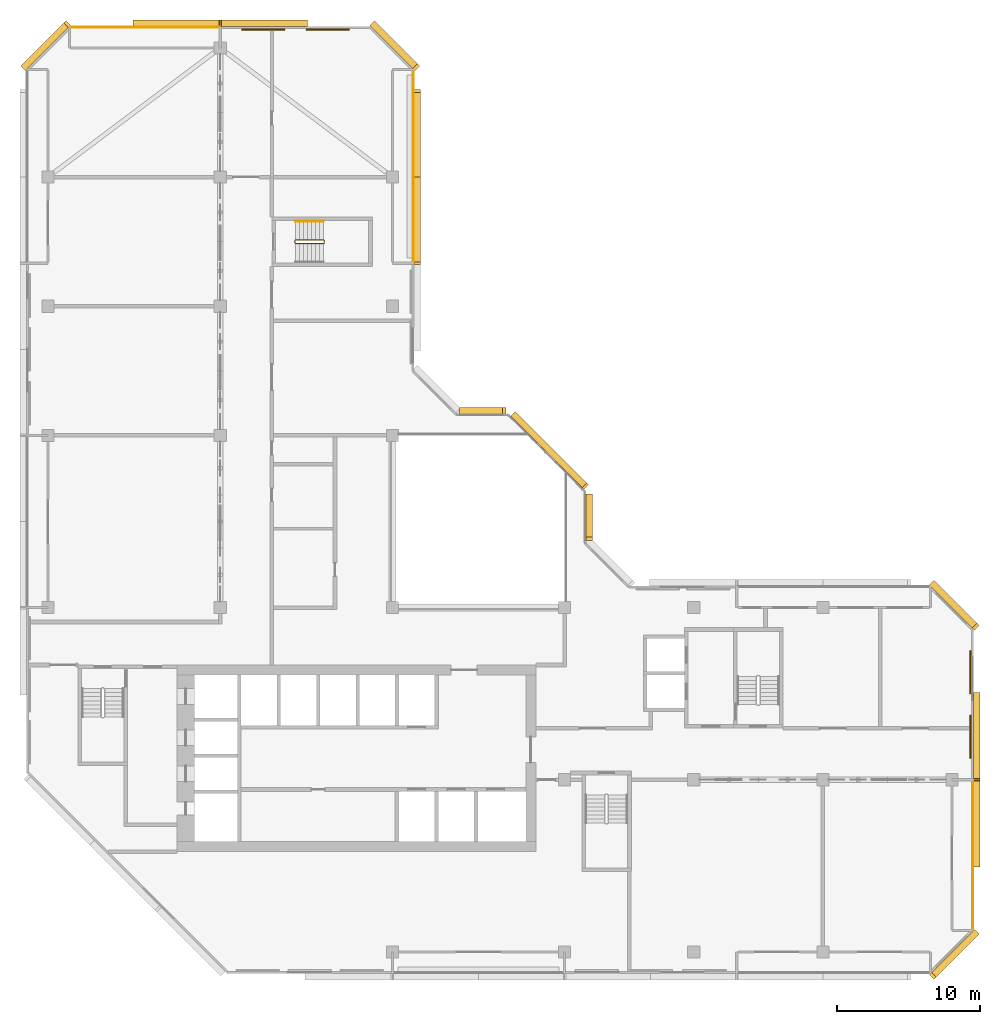
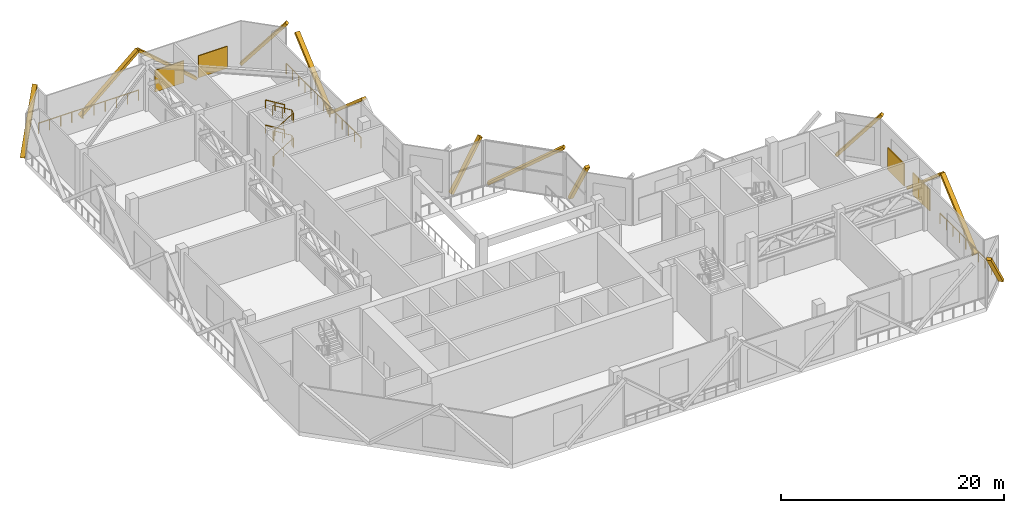
# One storey, part 14 of 14: 13 coverings, 6 railings, 4 shading devices.
"""IFC4 building model written with IfcOpenShell, lengths in metres."""

from ifc_helpers import new_model, si_unit, direction, frame, origin, origin_2d, place, context, subcontext, project, spatial, rectangle, extrude, material, material_profile, profile_set, type_object, element, save


model = new_model("IFC4")

# Units and contexts
model_context = context("Model", 3, precision=1e-05, world=origin(), true_north=direction((0.0, 1.0)))
body_context = subcontext(model_context, "Body", "Model", "MODEL_VIEW")
ifc_project = project(units=[si_unit("LENGTHUNIT", "METRE"), si_unit("AREAUNIT", "SQUARE_METRE"), si_unit("VOLUMEUNIT", "CUBIC_METRE"), si_unit("PLANEANGLEUNIT", "RADIAN"), si_unit("MASSUNIT", "GRAM", prefix="KILO")], contexts=[model_context])

# Site, building, storey
site_placement = place(None, origin())
site = spatial("IfcSite", under=ifc_project, at=site_placement, CompositionType="ELEMENT")
building_placement = place(site_placement, origin())
building = spatial("IfcBuilding", under=site, at=building_placement, Name="Chenar Terraces", CompositionType="ELEMENT")
storey_placement = place(building_placement, frame((0.0, 0.0, 256.64990234375)))
storey = spatial("IfcBuildingStorey", under=building, at=storey_placement, Name="L61", CompositionType="ELEMENT", Elevation=256.64990234375)

# Railings
ifc_material_1 = material(Name="Stainless steel and glass", Category="steel")
railing_type_1 = type_object("IfcRailingType", Name="Loggia guard 1150", PredefinedType="GUARDRAIL", material=ifc_material_1)
railing_1_placement = place(storey_placement, frame((25.449951171875, 48.074951171875, 0.0)))
element("IfcRailing", 1, at=railing_1_placement, inside=storey, type_object=railing_type_1, Name="Loggia guard", PredefinedType="GUARDRAIL", context=body_context, shape_type="SweptSolid", body=[
    extrude(rectangle(XDim=0.048095703125, YDim=0.048095703125, at=origin_2d()), frame((0.0, 0.0, 1.1259765625), z_axis=(0.0, 1.0, 0.0), x_axis=(-1.0, 0.0, 0.0)), (0.0, 0.0, 1.0), 13.35009765625),
    extrude(rectangle(XDim=0.0419921875, YDim=0.0419921875, at=origin_2d()), origin(), (0.0, 0.0, 1.0), 1.101806640625),
    extrude(rectangle(XDim=0.0419921875, YDim=0.0419921875, at=origin_2d()), frame((0.0, 1.112548828125, 0.0)), (0.0, 0.0, 1.0), 1.101806640625),
    extrude(rectangle(XDim=0.0419921875, YDim=0.0419921875, at=origin_2d()), frame((0.0, 2.22509765625, 0.0)), (0.0, 0.0, 1.0), 1.101806640625),
    extrude(rectangle(XDim=0.0419921875, YDim=0.0419921875, at=origin_2d()), frame((0.0, 3.33740234375, 0.0)), (0.0, 0.0, 1.0), 1.101806640625),
    extrude(rectangle(XDim=0.0419921875, YDim=0.0419921875, at=origin_2d()), frame((0.0, 4.449951171875, 0.0)), (0.0, 0.0, 1.0), 1.101806640625),
    extrude(rectangle(XDim=0.0419921875, YDim=0.0419921875, at=origin_2d()), frame((0.0, 5.5625, 0.0)), (0.0, 0.0, 1.0), 1.101806640625),
    extrude(rectangle(XDim=0.0419921875, YDim=0.0419921875, at=origin_2d()), frame((0.0, 6.675048828125, 0.0)), (0.0, 0.0, 1.0), 1.101806640625),
    extrude(rectangle(XDim=0.0419921875, YDim=0.0419921875, at=origin_2d()), frame((0.0, 7.78759765625, 0.0)), (0.0, 0.0, 1.0), 1.101806640625),
    extrude(rectangle(XDim=0.0419921875, YDim=0.0419921875, at=origin_2d()), frame((0.0, 8.900146484375, 0.0)), (0.0, 0.0, 1.0), 1.101806640625),
    extrude(rectangle(XDim=0.0419921875, YDim=0.0419921875, at=origin_2d()), frame((0.0, 10.0126953125, 0.0)), (0.0, 0.0, 1.0), 1.101806640625),
    extrude(rectangle(XDim=0.0419921875, YDim=0.0419921875, at=origin_2d()), frame((0.0, 11.125, 0.0)), (0.0, 0.0, 1.0), 1.101806640625),
    extrude(rectangle(XDim=0.0419921875, YDim=0.0419921875, at=origin_2d()), frame((0.0, 12.237548828125, 0.0)), (0.0, 0.0, 1.0), 1.101806640625),
    extrude(rectangle(XDim=0.0419921875, YDim=0.0419921875, at=origin_2d()), frame((0.0, 13.35009765625, 0.0)), (0.0, 0.0, 1.0), 1.101806640625),
])
railing_2_placement = place(storey_placement, frame((64.449951171875, 1.574951171875, 0.0)))
element("IfcRailing", 2, at=railing_2_placement, inside=storey, type_object=railing_type_1, Name="Loggia guard", PredefinedType="GUARDRAIL", context=body_context, shape_type="SweptSolid", body=[
    extrude(rectangle(XDim=0.048095703125, YDim=0.048095703125, at=origin_2d()), frame((0.0, 0.0, 1.1259765625), z_axis=(0.0, 1.0, 0.0), x_axis=(-1.0, 0.0, 0.0)), (0.0, 0.0, 1.0), 10.35009765625),
    extrude(rectangle(XDim=0.0419921875, YDim=0.0419921875, at=origin_2d()), origin(), (0.0, 0.0, 1.0), 1.101806640625),
    extrude(rectangle(XDim=0.0419921875, YDim=0.0419921875, at=origin_2d()), frame((0.0, 1.14990234375, 0.0)), (0.0, 0.0, 1.0), 1.101806640625),
    extrude(rectangle(XDim=0.0419921875, YDim=0.0419921875, at=origin_2d()), frame((0.0, 2.300048828125, 0.0)), (0.0, 0.0, 1.0), 1.101806640625),
    extrude(rectangle(XDim=0.0419921875, YDim=0.0419921875, at=origin_2d()), frame((0.0, 3.449951171875, 0.0)), (0.0, 0.0, 1.0), 1.101806640625),
    extrude(rectangle(XDim=0.0419921875, YDim=0.0419921875, at=origin_2d()), frame((0.0, 4.60009765625, 0.0)), (0.0, 0.0, 1.0), 1.101806640625),
    extrude(rectangle(XDim=0.0419921875, YDim=0.0419921875, at=origin_2d()), frame((0.0, 5.75, 0.0)), (0.0, 0.0, 1.0), 1.101806640625),
    extrude(rectangle(XDim=0.0419921875, YDim=0.0419921875, at=origin_2d()), frame((0.0, 6.900146484375, 0.0)), (0.0, 0.0, 1.0), 1.101806640625),
    extrude(rectangle(XDim=0.0419921875, YDim=0.0419921875, at=origin_2d()), frame((0.0, 8.050048828125, 0.0)), (0.0, 0.0, 1.0), 1.101806640625),
    extrude(rectangle(XDim=0.0419921875, YDim=0.0419921875, at=origin_2d()), frame((0.0, 9.2001953125, 0.0)), (0.0, 0.0, 1.0), 1.101806640625),
    extrude(rectangle(XDim=0.0419921875, YDim=0.0419921875, at=origin_2d()), frame((0.0, 10.35009765625, 0.0)), (0.0, 0.0, 1.0), 1.101806640625),
])
railing_3_placement = place(storey_placement, frame((11.925048828125, 64.449951171875, 0.0)))
element("IfcRailing", 3, at=railing_3_placement, inside=storey, type_object=railing_type_1, Name="Loggia guard", PredefinedType="GUARDRAIL", context=body_context, shape_type="SweptSolid", body=[
    extrude(rectangle(XDim=0.048095703125, YDim=0.048095703125, at=origin_2d()), frame((0.0, 0.0, 1.1259765625), z_axis=(-1.0, 0.0, 0.0), x_axis=(0.0, -1.0, 0.0)), (0.0, 0.0, 1.0), 10.35009765625),
    extrude(rectangle(XDim=0.0419921875, YDim=0.0419921875, at=origin_2d()), origin(), (0.0, 0.0, 1.0), 1.101806640625),
    extrude(rectangle(XDim=0.0419921875, YDim=0.0419921875, at=origin_2d()), frame((-1.14990234375, 0.0, 0.0)), (0.0, 0.0, 1.0), 1.101806640625),
    extrude(rectangle(XDim=0.0419921875, YDim=0.0419921875, at=origin_2d()), frame((-2.300048828125, 0.0, 0.0)), (0.0, 0.0, 1.0), 1.101806640625),
    extrude(rectangle(XDim=0.0419921875, YDim=0.0419921875, at=origin_2d()), frame((-3.449951171875, 0.0, 0.0)), (0.0, 0.0, 1.0), 1.101806640625),
    extrude(rectangle(XDim=0.0419921875, YDim=0.0419921875, at=origin_2d()), frame((-4.60009765625, 0.0, 0.0)), (0.0, 0.0, 1.0), 1.101806640625),
    extrude(rectangle(XDim=0.0419921875, YDim=0.0419921875, at=origin_2d()), frame((-5.75, 0.0, 0.0)), (0.0, 0.0, 1.0), 1.101806640625),
    extrude(rectangle(XDim=0.0419921875, YDim=0.0419921875, at=origin_2d()), frame((-6.900146484375, 0.0, 0.0)), (0.0, 0.0, 1.0), 1.101806640625),
    extrude(rectangle(XDim=0.0419921875, YDim=0.0419921875, at=origin_2d()), frame((-8.050048828125, 0.0, 0.0)), (0.0, 0.0, 1.0), 1.101806640625),
    extrude(rectangle(XDim=0.0419921875, YDim=0.0419921875, at=origin_2d()), frame((-9.2001953125, 0.0, 0.0)), (0.0, 0.0, 1.0), 1.101806640625),
    extrude(rectangle(XDim=0.0419921875, YDim=0.0419921875, at=origin_2d()), frame((-10.35009765625, 0.0, 0.0)), (0.0, 0.0, 1.0), 1.101806640625),
])

# Shading devices
ifc_material_2 = material(Name="Powder-coated steel", Category="steel")
shading_device_type = type_object("IfcShadingDeviceType", Name="Sand-proof louvre bank 3000 x 2400", PredefinedType="USERDEFINED", material=ifc_material_2)
for number, where, z_axis, x_axis, name in (
    (4, (64.300048828125, 15.0, 0.4501953125), (0.0, 0.0, 1.0), (0.0, 1.0, 0.0), "Sand-proof louvre bank"),
    (5, (64.300048828125, 19.5, 0.4501953125), (0.0, 0.0, 1.0), (0.0, 1.0, 0.0), "Sand-proof louvre bank"),
    (6, (19.5, 64.300048828125, 0.4501953125), (0.0, 0.0, 1.0), (-1.0, 0.0, 0.0), "Sand-proof louvre bank"),
    (7, (15.0, 64.300048828125, 0.4501953125), (0.0, 0.0, 1.0), (-1.0, 0.0, 0.0), "Sand-proof louvre bank"),
):
    element("IfcShadingDevice", number, at=place(storey_placement, frame(where, z_axis=z_axis, x_axis=x_axis)), inside=storey, type_object=shading_device_type, Name=name, ObjectType="LOUVRE", PredefinedType="USERDEFINED", context=body_context, shape_type="SweptSolid", body=[
        extrude(rectangle(XDim=3.0, YDim=0.10009765625, at=origin_2d()), origin(), (0.0, 0.0, 1.0), 2.39990234375),
    ])

# Railings
ifc_material_3 = material(Name="Powder-coated steel", Category="steel")
railing_type_2 = type_object("IfcRailingType", Name="Stair guard 1100", PredefinedType="GUARDRAIL", material=ifc_material_3)
railing_4_placement = place(storey_placement, frame((17.25, 49.625, 5.5)))
element("IfcRailing", 8, at=railing_4_placement, inside=storey, type_object=railing_type_2, Name="L61 ST4 stair guard 1", PredefinedType="GUARDRAIL", context=body_context, shape_type="SweptSolid", body=[
    extrude(rectangle(XDim=0.048095703125, YDim=0.048095703125, at=origin_2d()), frame((0.0, 0.0, 1.076171875), z_axis=(0.852240978134, 0.0, -0.523149419562), x_axis=(0.0, 1.0, 0.0)), (0.0, 0.0, 1.0), 2.2998046875),
    extrude(rectangle(XDim=0.048095703125, YDim=0.048095703125, at=origin_2d()), frame((1.9599609375, 0.0, -0.126953125), z_axis=(0.269255725606, -0.269255725606, -0.92466356501), x_axis=(0.707106781187, 0.707106781187, 0.0)), (0.0, 0.0, 1.0), 0.185791015625),
    extrude(rectangle(XDim=0.048095703125, YDim=0.048095703125, at=origin_2d()), frame((2.010009765625, -0.050048828125, -0.298828125), z_axis=(0.0, -1.0, 0.0), x_axis=(1.0, 0.0, 0.0)), (0.0, 0.0, 1.0), 0.14990234375),
    extrude(rectangle(XDim=0.048095703125, YDim=0.048095703125, at=origin_2d()), frame((2.010009765625, -0.199951171875, -0.298828125), z_axis=(-0.707106781187, -0.707106781187, 0.0), x_axis=(0.707106781187, -0.707106781187, 0.0)), (0.0, 0.0, 1.0), 0.07080078125),
    extrude(rectangle(XDim=0.048095703125, YDim=0.048095703125, at=origin_2d()), frame((1.9599609375, -0.25, -0.298828125), z_axis=(-0.852240978134, 0.0, -0.523149419562), x_axis=(0.0, -1.0, 0.0)), (0.0, 0.0, 1.0), 2.2998046875),
    extrude(rectangle(XDim=0.048095703125, YDim=0.048095703125, at=origin_2d()), frame((0.0, -0.25, -1.501953125), z_axis=(-0.186486819998, 0.745037588186, -0.640423030626), x_axis=(-0.970072785993, -0.242814311512, 0.0)), (0.0, 0.0, 1.0), 0.268310546875),
    extrude(rectangle(XDim=0.048095703125, YDim=0.048095703125, at=origin_2d()), frame((-0.050048828125, -0.050048828125, -1.673828125), z_axis=(0.0, -1.0, 0.0), x_axis=(1.0, 0.0, 0.0)), (0.0, 0.0, 1.0), 0.14990234375),
    extrude(rectangle(XDim=0.048095703125, YDim=0.048095703125, at=origin_2d()), frame((-0.050048828125, -0.199951171875, -1.673828125), z_axis=(0.242814311512, 0.970072785993, 0.0), x_axis=(-0.970072785993, 0.242814311512, 0.0)), (0.0, 0.0, 1.0), 0.2060546875),
    extrude(rectangle(XDim=0.048095703125, YDim=0.048095703125, at=origin_2d()), frame((0.0, 0.0, -1.673828125), z_axis=(0.852240978134, 0.0, -0.523149419562), x_axis=(0.0, 1.0, 0.0)), (0.0, 0.0, 1.0), 2.2998046875),
    extrude(rectangle(XDim=0.048095703125, YDim=0.048095703125, at=origin_2d()), frame((1.9599609375, 0.0, -2.876953125), z_axis=(0.269255725606, -0.269255725606, -0.92466356501), x_axis=(0.707106781187, 0.707106781187, 0.0)), (0.0, 0.0, 1.0), 0.185791015625),
    extrude(rectangle(XDim=0.048095703125, YDim=0.048095703125, at=origin_2d()), frame((2.010009765625, -0.050048828125, -3.048828125), z_axis=(0.0, -1.0, 0.0), x_axis=(1.0, 0.0, 0.0)), (0.0, 0.0, 1.0), 0.14990234375),
    extrude(rectangle(XDim=0.048095703125, YDim=0.048095703125, at=origin_2d()), frame((2.010009765625, -0.199951171875, -3.048828125), z_axis=(-0.707106781187, -0.707106781187, 0.0), x_axis=(0.707106781187, -0.707106781187, 0.0)), (0.0, 0.0, 1.0), 0.07080078125),
    extrude(rectangle(XDim=0.048095703125, YDim=0.048095703125, at=origin_2d()), frame((1.9599609375, -0.25, -3.048828125), z_axis=(-0.852240978134, 0.0, -0.523149419562), x_axis=(0.0, -1.0, 0.0)), (0.0, 0.0, 1.0), 2.2998046875),
    extrude(rectangle(XDim=0.048095703125, YDim=0.048095703125, at=origin_2d()), frame((0.0, -0.25, -4.251953125), z_axis=(-0.269255725606, 0.269255725606, -0.92466356501), x_axis=(-0.707106781187, -0.707106781187, 0.0)), (0.0, 0.0, 1.0), 0.185791015625),
    extrude(rectangle(XDim=0.048095703125, YDim=0.048095703125, at=origin_2d()), frame((-0.050048828125, -0.199951171875, -4.423828125), z_axis=(0.0, 1.0, 0.0), x_axis=(-1.0, 0.0, 0.0)), (0.0, 0.0, 1.0), 0.14990234375),
    extrude(rectangle(XDim=0.0419921875, YDim=0.0419921875, at=origin_2d()), origin(), (0.0, 0.0, 1.0), 1.052001953125),
    extrude(rectangle(XDim=0.0419921875, YDim=0.0419921875, at=origin_2d()), frame((0.97998046875, 0.0, -0.6015625)), (0.0, 0.0, 1.0), 1.052001953125),
    extrude(rectangle(XDim=0.0419921875, YDim=0.0419921875, at=origin_2d()), frame((1.9599609375, 0.0, -1.203125)), (0.0, 0.0, 1.0), 1.052001953125),
    extrude(rectangle(XDim=0.0419921875, YDim=0.0419921875, at=origin_2d()), frame((2.010009765625, -0.050048828125, -1.375)), (0.0, 0.0, 1.0), 1.052001953125),
    extrude(rectangle(XDim=0.0419921875, YDim=0.0419921875, at=origin_2d()), frame((2.010009765625, -0.199951171875, -1.375)), (0.0, 0.0, 1.0), 1.052001953125),
    extrude(rectangle(XDim=0.0419921875, YDim=0.0419921875, at=origin_2d()), frame((1.9599609375, -0.25, -1.375)), (0.0, 0.0, 1.0), 1.052001953125),
    extrude(rectangle(XDim=0.0419921875, YDim=0.0419921875, at=origin_2d()), frame((0.97998046875, -0.25, -1.9765625)), (0.0, 0.0, 1.0), 1.052001953125),
    extrude(rectangle(XDim=0.0419921875, YDim=0.0419921875, at=origin_2d()), frame((0.0, -0.25, -2.578125)), (0.0, 0.0, 1.0), 1.052001953125),
    extrude(rectangle(XDim=0.0419921875, YDim=0.0419921875, at=origin_2d()), frame((-0.050048828125, -0.050048828125, -2.75)), (0.0, 0.0, 1.0), 1.052001953125),
    extrude(rectangle(XDim=0.0419921875, YDim=0.0419921875, at=origin_2d()), frame((-0.050048828125, -0.199951171875, -2.75)), (0.0, 0.0, 1.0), 1.052001953125),
    extrude(rectangle(XDim=0.0419921875, YDim=0.0419921875, at=origin_2d()), frame((0.0, 0.0, -2.75)), (0.0, 0.0, 1.0), 1.052001953125),
    extrude(rectangle(XDim=0.0419921875, YDim=0.0419921875, at=origin_2d()), frame((0.97998046875, 0.0, -3.3515625)), (0.0, 0.0, 1.0), 1.052001953125),
    extrude(rectangle(XDim=0.0419921875, YDim=0.0419921875, at=origin_2d()), frame((1.9599609375, 0.0, -3.953125)), (0.0, 0.0, 1.0), 1.052001953125),
    extrude(rectangle(XDim=0.0419921875, YDim=0.0419921875, at=origin_2d()), frame((2.010009765625, -0.050048828125, -4.125)), (0.0, 0.0, 1.0), 1.052001953125),
    extrude(rectangle(XDim=0.0419921875, YDim=0.0419921875, at=origin_2d()), frame((2.010009765625, -0.199951171875, -4.125)), (0.0, 0.0, 1.0), 1.052001953125),
    extrude(rectangle(XDim=0.0419921875, YDim=0.0419921875, at=origin_2d()), frame((1.9599609375, -0.25, -4.125)), (0.0, 0.0, 1.0), 1.052001953125),
    extrude(rectangle(XDim=0.0419921875, YDim=0.0419921875, at=origin_2d()), frame((0.97998046875, -0.25, -4.7265625)), (0.0, 0.0, 1.0), 1.052001953125),
    extrude(rectangle(XDim=0.0419921875, YDim=0.0419921875, at=origin_2d()), frame((0.0, -0.25, -5.328125)), (0.0, 0.0, 1.0), 1.052001953125),
    extrude(rectangle(XDim=0.0419921875, YDim=0.0419921875, at=origin_2d()), frame((-0.050048828125, -0.199951171875, -5.5)), (0.0, 0.0, 1.0), 1.052001953125),
    extrude(rectangle(XDim=0.0419921875, YDim=0.0419921875, at=origin_2d()), frame((-0.050048828125, -0.050048828125, -5.5)), (0.0, 0.0, 1.0), 1.052001953125),
])
ifc_material_4 = material(Name="Powder-coated steel", Category="steel")
railing_type_3 = type_object("IfcRailingType", Name="Stair handrail 900", PredefinedType="HANDRAIL", material=ifc_material_4)
for number, where, name in (
    (9, (19.2099609375, 50.925048828125, 1.546875), "L61 ST4 stair handrail 2"),
    (10, (19.2099609375, 50.925048828125, 4.296875), "L61 ST4 stair handrail 4"),
):
    element("IfcRailing", number, at=place(storey_placement, frame(where)), inside=storey, type_object=railing_type_3, Name=name, PredefinedType="HANDRAIL", context=body_context, shape_type="SweptSolid", body=[
        extrude(rectangle(XDim=0.048095703125, YDim=0.048095703125, at=origin_2d()), frame((0.0, 0.0, 0.8759765625), z_axis=(-0.852240978134, 0.0, 0.523149419562), x_axis=(0.0, -1.0, 0.0)), (0.0, 0.0, 1.0), 2.2998046875),
        extrude(rectangle(XDim=0.0419921875, YDim=0.0419921875, at=origin_2d()), origin(), (0.0, 0.0, 1.0), 0.851806640625),
        extrude(rectangle(XDim=0.0419921875, YDim=0.0419921875, at=origin_2d()), frame((-0.97998046875, 0.0, 0.6015625)), (0.0, 0.0, 1.0), 0.851806640625),
        extrude(rectangle(XDim=0.0419921875, YDim=0.0419921875, at=origin_2d()), frame((-1.9599609375, 0.0, 1.203125)), (0.0, 0.0, 1.0), 0.851806640625),
    ])

# Coverings
ifc_material_5 = material(Name="Terracotta", Category="masonry")
ifc_material_profile = material_profile(ifc_material_5, rectangle(XDim=0.449951171875, YDim=0.280029296875, at=origin_2d()), Name="Terracotta baguette 450 x 280")
ifc_profile_set = profile_set([ifc_material_profile], Name="Terracotta")
covering_type = type_object("IfcCoveringType", Name="Terracotta baguette 450 x 280", PredefinedType="CLADDING", material=ifc_profile_set)
covering_1_placement = place(storey_placement, frame((37.72509765625, 28.800048828125, 5.35009765625), z_axis=(0.0, 0.499725974117, -0.866183554908), x_axis=(-1.0, 0.0, 0.0)))
element("IfcCovering", 11, at=covering_1_placement, inside=storey, type_object=covering_type, Name="Terracotta baguette", PredefinedType="CLADDING", context=body_context, shape_type="SweptSolid", body=[
    extrude(rectangle(XDim=0.449951171875, YDim=0.280029296875, at=origin_2d()), origin(), (0.0, 0.0, 1.0), 6.003173828125),
])
covering_2_placement = place(storey_placement, frame((37.447021484375, 32.47119140625, 5.35009765625), z_axis=(-0.568685747751, 0.568685747751, -0.594300463242), x_axis=(-0.707106781187, -0.707106781187, 0.0)))
element("IfcCovering", 12, at=covering_2_placement, inside=storey, type_object=covering_type, Name="Terracotta baguette", PredefinedType="CLADDING", context=body_context, shape_type="SweptSolid", body=[
    extrude(rectangle(XDim=0.449951171875, YDim=0.280029296875, at=origin_2d()), origin(), (0.0, 0.0, 1.0), 8.749755859375),
])
covering_3_placement = place(storey_placement, frame((31.800048828125, 37.72509765625, 5.35009765625), z_axis=(-0.499725974117, 0.0, -0.866183554908), x_axis=(0.0, -1.0, 0.0)))
element("IfcCovering", 13, at=covering_3_placement, inside=storey, type_object=covering_type, Name="Terracotta baguette", PredefinedType="CLADDING", context=body_context, shape_type="SweptSolid", body=[
    extrude(rectangle(XDim=0.449951171875, YDim=0.280029296875, at=origin_2d()), origin(), (0.0, 0.0, 1.0), 6.003173828125),
])
for number, where, z_axis, x_axis, name in (
    (14, (25.72509765625, 48.0, 5.35009765625), (0.0, 0.755692126483, -0.654927026447), (-1.0, 0.0, 0.0), "Terracotta baguette"),
    (15, (25.72509765625, 54.0, 0.150146484375), (0.0, 0.755692126483, 0.654927026447), (-1.0, 0.0, 0.0), "Terracotta baguette"),
):
    element("IfcCovering", number, at=place(storey_placement, frame(where, z_axis=z_axis, x_axis=x_axis)), inside=storey, type_object=covering_type, Name=name, PredefinedType="CLADDING", context=body_context, shape_type="SweptSolid", body=[
        extrude(rectangle(XDim=0.449951171875, YDim=0.280029296875, at=origin_2d()), origin(), (0.0, 0.0, 1.0), 7.939697265625),
    ])
covering_4_placement = place(storey_placement, frame((25.6591796875, 61.6591796875, 5.35009765625), z_axis=(-0.447017486301, 0.447017486301, -0.774823033913), x_axis=(-0.707106781187, -0.707106781187, 0.0)))
element("IfcCovering", 16, at=covering_4_placement, inside=storey, type_object=covering_type, Name="Terracotta baguette", PredefinedType="CLADDING", context=body_context, shape_type="SweptSolid", body=[
    extrude(rectangle(XDim=0.449951171875, YDim=0.280029296875, at=origin_2d()), origin(), (0.0, 0.0, 1.0), 6.711181640625),
])
for number, where, z_axis, x_axis, name in (
    (17, (18.0, 64.72509765625, 0.150146484375), (-0.755692126483, 0.0, 0.654927026447), (0.0, -1.0, 0.0), "Terracotta baguette"),
    (18, (12.0, 64.72509765625, 5.35009765625), (-0.755692126483, 0.0, -0.654927026447), (0.0, -1.0, 0.0), "Terracotta baguette"),
):
    element("IfcCovering", number, at=place(storey_placement, frame(where, z_axis=z_axis, x_axis=x_axis)), inside=storey, type_object=covering_type, Name=name, PredefinedType="CLADDING", context=body_context, shape_type="SweptSolid", body=[
        extrude(rectangle(XDim=0.449951171875, YDim=0.280029296875, at=origin_2d()), origin(), (0.0, 0.0, 1.0), 7.939697265625),
    ])
for number, where, z_axis, x_axis, name in (
    (19, (1.3408203125, 64.6591796875, 5.35009765625), (-0.447017486301, -0.447017486301, -0.774823033913), (0.707106781187, -0.707106781187, 0.0), "Terracotta baguette"),
    (20, (61.6591796875, -1.6591796875, 5.35009765625), (0.447017486301, 0.447017486301, -0.774823033913), (-0.707106781187, 0.707106781187, 0.0), "Terracotta baguette"),
):
    element("IfcCovering", number, at=place(storey_placement, frame(where, z_axis=z_axis, x_axis=x_axis)), inside=storey, type_object=covering_type, Name=name, PredefinedType="CLADDING", context=body_context, shape_type="SweptSolid", body=[
        extrude(rectangle(XDim=0.449951171875, YDim=0.280029296875, at=origin_2d()), origin(), (0.0, 0.0, 1.0), 6.711181640625),
    ])
for number, where, z_axis, x_axis, name in (
    (21, (64.72509765625, 6.0, 0.150146484375), (0.0, 0.755692126483, 0.654927026447), (-1.0, 0.0, 0.0), "Terracotta baguette"),
    (22, (64.72509765625, 12.0, 5.35009765625), (0.0, 0.755692126483, -0.654927026447), (-1.0, 0.0, 0.0), "Terracotta baguette"),
):
    element("IfcCovering", number, at=place(storey_placement, frame(where, z_axis=z_axis, x_axis=x_axis)), inside=storey, type_object=covering_type, Name=name, PredefinedType="CLADDING", context=body_context, shape_type="SweptSolid", body=[
        extrude(rectangle(XDim=0.449951171875, YDim=0.280029296875, at=origin_2d()), origin(), (0.0, 0.0, 1.0), 7.939697265625),
    ])
covering_5_placement = place(storey_placement, frame((64.6591796875, 22.6591796875, 5.35009765625), z_axis=(-0.447017486301, 0.447017486301, -0.774823033913), x_axis=(-0.707106781187, -0.707106781187, 0.0)))
element("IfcCovering", 23, at=covering_5_placement, inside=storey, type_object=covering_type, Name="Terracotta baguette", PredefinedType="CLADDING", context=body_context, shape_type="SweptSolid", body=[
    extrude(rectangle(XDim=0.449951171875, YDim=0.280029296875, at=origin_2d()), origin(), (0.0, 0.0, 1.0), 6.711181640625),
])

save(model, "model.ifc")
